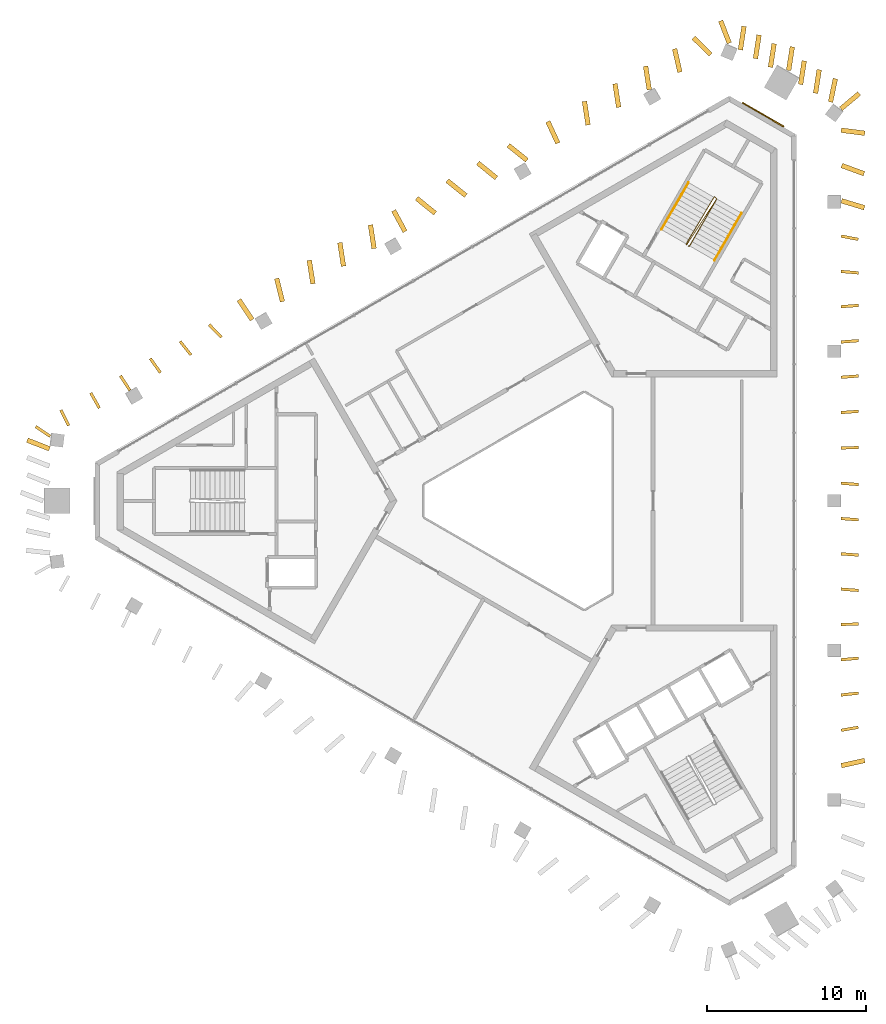
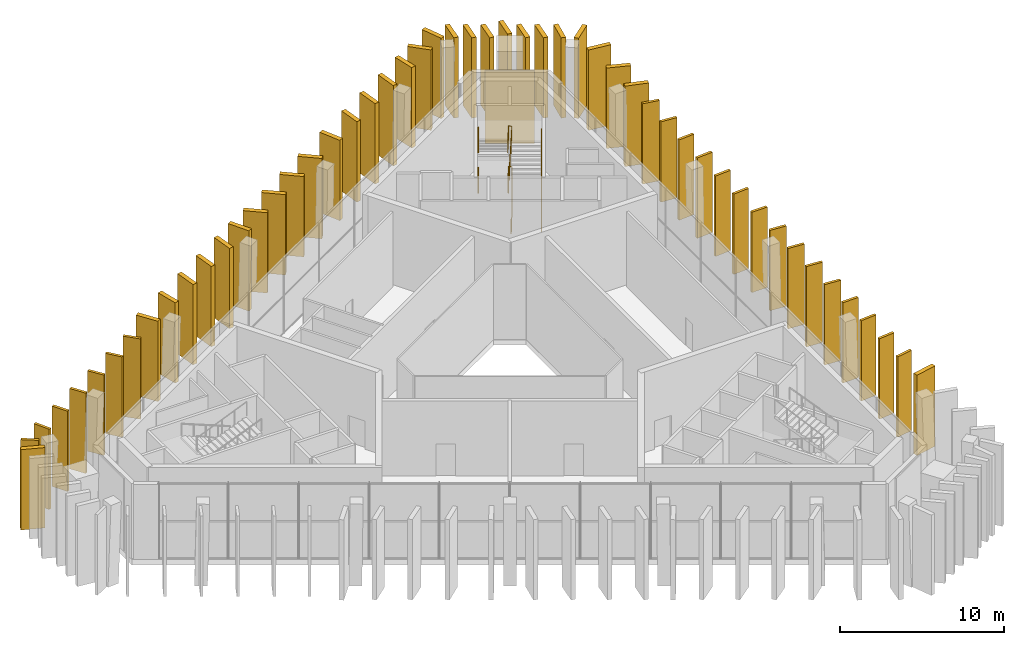
# One storey, part 12 of 12: 52 shading devices, 5 railings, 1 covering.
"""IFC4 building model written with IfcOpenShell, lengths in metres."""

from ifc_helpers import new_model, si_unit, direction, frame, frame_2d, origin, origin_2d, place, context, subcontext, project, spatial, rectangle, circle, extrude, material, layer, layer_set, type_object, element, save


model = new_model("IFC4")

# Units and contexts
model_context = context("Model", 3, precision=1e-05, world=origin(), true_north=direction((0.0, 1.0)))
body_context = subcontext(model_context, "Body", "Model", "MODEL_VIEW")
ifc_project = project(units=[si_unit("LENGTHUNIT", "METRE"), si_unit("AREAUNIT", "SQUARE_METRE"), si_unit("VOLUMEUNIT", "CUBIC_METRE"), si_unit("PLANEANGLEUNIT", "RADIAN"), si_unit("MASSUNIT", "GRAM", prefix="KILO")], contexts=[model_context])

# Site, building, storey
site_placement = place(None, origin())
site = spatial("IfcSite", under=ifc_project, at=site_placement, CompositionType="ELEMENT")
building_placement = place(site_placement, origin())
building = spatial("IfcBuilding", under=site, at=building_placement, Name="Jabali Bay Hotel Tower and Convention Centre", CompositionType="ELEMENT")
storey_placement = place(building_placement, frame((0.0, 0.0, 304.800048828125)))
storey = spatial("IfcBuildingStorey", under=building, at=storey_placement, Name="L75", CompositionType="ELEMENT", Elevation=304.800048828125)

# Shading devices
ifc_material_1 = material(Name="Precast concrete C60", Category="concrete")
ifc_layer_1 = layer(ifc_material_1, 0.179931640625)
ifc_layer_set_1 = layer_set([ifc_layer_1], Name="Precast concrete C60")
shading_device_type_1 = type_object("IfcShadingDeviceType", Name="Precast fin 5980 x 1100", PredefinedType="USERDEFINED", material=ifc_layer_set_1)
shading_device_1_placement = place(storey_placement, frame((93.91796875, 65.575927734375, 0.010009765625), z_axis=(0.0, 0.0, 1.0), x_axis=(0.984464595423, 0.175583200672, 0.0)))
element("IfcShadingDevice", 1, at=shading_device_1_placement, inside=storey, type_object=shading_device_type_1, Name="Fin L75 004", ObjectType="FIN", PredefinedType="USERDEFINED", context=body_context, shape_type="SweptSolid", body=[
    extrude(rectangle(XDim=1.099853515625, YDim=0.179931640625, at=frame_2d((0.5498046875, 0.0))), origin(), (0.0, 0.0, 1.0), 5.97998046875),
])
for number, where, z_axis, x_axis, name in (
    (2, (93.91162109375, 67.795166015625, 0.010009765625), (0.0, 0.0, 1.0), (0.994285620434, 0.106752540944, 0.0), "Fin L75 005"),
    (3, (93.90966796875, 70.01416015625, 0.010009765625), (0.0, 0.0, 1.0), (0.996474994067, 0.08389032244, 0.0), "Fin L75 006"),
    (4, (93.90380859375, 72.233154296875, 0.010009765625), (0.0, 0.0, 1.0), (0.999796046896, 0.020195658217, 0.0), "Fin L75 007"),
):
    element("IfcShadingDevice", number, at=place(storey_placement, frame(where, z_axis=z_axis, x_axis=x_axis)), inside=storey, type_object=shading_device_type_1, Name=name, ObjectType="FIN", PredefinedType="USERDEFINED", context=body_context, shape_type="SweptSolid", body=[
        extrude(rectangle(XDim=1.10009765625, YDim=0.179931640625, at=frame_2d((0.550048828125, 0.0))), origin(), (0.0, 0.0, 1.0), 5.97998046875),
    ])
shading_device_2_placement = place(storey_placement, frame((93.908935546875, 74.452392578125, 0.010009765625), z_axis=(0.0, 0.0, 1.0), x_axis=(0.997147752734, -0.075474228836, 0.0)))
element("IfcShadingDevice", 5, at=shading_device_2_placement, inside=storey, type_object=shading_device_type_1, Name="Fin L75 008", ObjectType="FIN", PredefinedType="USERDEFINED", context=body_context, shape_type="SweptSolid", body=[
    extrude(rectangle(XDim=1.099853515625, YDim=0.179931640625, at=frame_2d((0.5498046875, 0.0))), origin(), (0.0, 0.0, 1.0), 5.97998046875),
])
shading_device_3_placement = place(storey_placement, frame((93.90869140625, 76.67138671875, 0.010009765625), z_axis=(0.0, 0.0, 1.0), x_axis=(0.997198896054, -0.074795465829, 0.0)))
element("IfcShadingDevice", 6, at=shading_device_3_placement, inside=storey, type_object=shading_device_type_1, Name="Fin L75 009", ObjectType="FIN", PredefinedType="USERDEFINED", context=body_context, shape_type="SweptSolid", body=[
    extrude(rectangle(XDim=1.10009765625, YDim=0.179931640625, at=frame_2d((0.550048828125, 0.0))), origin(), (0.0, 0.0, 1.0), 5.97998046875),
])
shading_device_4_placement = place(storey_placement, frame((93.90869140625, 78.890380859375, 0.010009765625), z_axis=(0.0, 0.0, 1.0), x_axis=(0.99723190741, -0.074354037165, 0.0)))
element("IfcShadingDevice", 7, at=shading_device_4_placement, inside=storey, type_object=shading_device_type_1, Name="Fin L75 010", ObjectType="FIN", PredefinedType="USERDEFINED", context=body_context, shape_type="SweptSolid", body=[
    extrude(rectangle(XDim=1.099853515625, YDim=0.179931640625, at=frame_2d((0.5498046875, 0.0))), origin(), (0.0, 0.0, 1.0), 5.97998046875),
])
for number, where, z_axis, x_axis, name in (
    (8, (93.90869140625, 81.109619140625, 0.010009765625), (0.0, 0.0, 1.0), (0.997215425884, -0.074574756977, 0.0), "Fin L75 011"),
    (9, (93.903564453125, 83.32861328125, 0.010009765625), (0.0, 0.0, 1.0), (0.999842363172, 0.017755247293, 0.0), "Fin L75 012"),
    (10, (93.90869140625, 85.547607421875, 0.010009765625), (0.0, 0.0, 1.0), (0.997198896054, 0.074795465829, 0.0), "Fin L75 013"),
):
    element("IfcShadingDevice", number, at=place(storey_placement, frame(where, z_axis=z_axis, x_axis=x_axis)), inside=storey, type_object=shading_device_type_1, Name=name, ObjectType="FIN", PredefinedType="USERDEFINED", context=body_context, shape_type="SweptSolid", body=[
        extrude(rectangle(XDim=1.10009765625, YDim=0.179931640625, at=frame_2d((0.550048828125, 0.0))), origin(), (0.0, 0.0, 1.0), 5.97998046875),
    ])
for number, where, z_axis, x_axis, name in (
    (11, (93.908935546875, 87.766845703125, 0.010009765625), (0.0, 0.0, 1.0), (0.997147752734, 0.075474228836, 0.0), "Fin L75 014"),
    (12, (93.9091796875, 89.98583984375, 0.010009765625), (0.0, 0.0, 1.0), (0.99697693731, 0.077698046773, 0.0), "Fin L75 015"),
    (13, (93.908935546875, 92.204833984375, 0.010009765625), (0.0, 0.0, 1.0), (0.997147752734, 0.075474228836, 0.0), "Fin L75 016"),
    (14, (93.909912109375, 94.424072265625, 0.010009765625), (0.0, 0.0, 1.0), (0.996264705336, -0.086351820494, 0.0), "Fin L75 017"),
    (15, (93.918701171875, 96.64306640625, 0.010009765625), (0.0, 0.0, 1.0), (0.982592152563, -0.185775837293, 0.0), "Fin L75 018"),
    (16, (54.968017578125, 90.28662109375, 0.010009765625), (0.0, 0.0, 1.0), (-0.69940756737, 0.714723061546, 0.0), "Fin L75 045"),
    (17, (53.05078125, 89.16943359375, 0.010009765625), (0.0, 0.0, 1.0), (-0.624397239587, 0.781106962711, 0.0), "Fin L75 046"),
):
    element("IfcShadingDevice", number, at=place(storey_placement, frame(where, z_axis=z_axis, x_axis=x_axis)), inside=storey, type_object=shading_device_type_1, Name=name, ObjectType="FIN", PredefinedType="USERDEFINED", context=body_context, shape_type="SweptSolid", body=[
        extrude(rectangle(XDim=1.099853515625, YDim=0.179931640625, at=frame_2d((0.5498046875, 0.0))), origin(), (0.0, 0.0, 1.0), 5.97998046875),
    ])
for number, where, z_axis, x_axis, name in (
    (18, (51.13134765625, 88.0556640625, 0.010009765625), (0.0, 0.0, 1.0), (-0.581951807924, 0.813223273926, 0.0), "Fin L75 047"),
    (19, (49.211669921875, 86.9423828125, 0.010009765625), (0.0, 0.0, 1.0), (-0.543278883498, 0.839552294229, 0.0), "Fin L75 048"),
):
    element("IfcShadingDevice", number, at=place(storey_placement, frame(where, z_axis=z_axis, x_axis=x_axis)), inside=storey, type_object=shading_device_type_1, Name=name, ObjectType="FIN", PredefinedType="USERDEFINED", context=body_context, shape_type="SweptSolid", body=[
        extrude(rectangle(XDim=1.10009765625, YDim=0.179931640625, at=frame_2d((0.550048828125, 0.0))), origin(), (0.0, 0.0, 1.0), 5.97998046875),
    ])
shading_device_5_placement = place(storey_placement, frame((47.291748046875, 85.82958984375, 0.010009765625), z_axis=(0.0, 0.0, 1.0), x_axis=(-0.49295656948, 0.870053918218, 0.0)))
element("IfcShadingDevice", 20, at=shading_device_5_placement, inside=storey, type_object=shading_device_type_1, Name="Fin L75 049", ObjectType="FIN", PredefinedType="USERDEFINED", context=body_context, shape_type="SweptSolid", body=[
    extrude(rectangle(XDim=1.099853515625, YDim=0.179931640625, at=frame_2d((0.5498046875, 0.0))), origin(), (0.0, 0.0, 1.0), 5.97998046875),
])
for number, where, z_axis, x_axis, name in (
    (21, (45.367919921875, 84.723876953125, 0.010009765625), (0.0, 0.0, 1.0), (-0.451204055003, 0.892420809231, 0.0), "Fin L75 050"),
    (22, (44.195556640625, 84.057373046875, 0.010009765625), (0.0, 0.0, 1.0), (-0.828068258656, 0.560627290637, 0.0), "Fin L75 090"),
):
    element("IfcShadingDevice", number, at=place(storey_placement, frame(where, z_axis=z_axis, x_axis=x_axis)), inside=storey, type_object=shading_device_type_1, Name=name, ObjectType="FIN", PredefinedType="USERDEFINED", context=body_context, shape_type="SweptSolid", body=[
        extrude(rectangle(XDim=1.10009765625, YDim=0.179931640625, at=frame_2d((0.550048828125, 0.0))), origin(), (0.0, 0.0, 1.0), 5.97998046875),
    ])
ifc_layer_2 = layer(ifc_material_1, 0.300048828125)
ifc_layer_set_2 = layer_set([ifc_layer_2], Name="Precast concrete C60")
shading_device_type_2 = type_object("IfcShadingDeviceType", Name="Precast fin 5980 x 1500", PredefinedType="USERDEFINED", material=ifc_layer_set_2)
for number, where, z_axis, x_axis, name in (
    (23, (93.934326171875, 63.35693359375, 0.010009765625), (0.0, 0.0, 1.0), (0.976507660068, 0.215482690322, 0.0), "Fin L75 003"),
    (24, (93.945556640625, 98.862060546875, 0.010009765625), (0.0, 0.0, 1.0), (0.956912079064, -0.290377810691, 0.0), "Fin L75 019"),
):
    element("IfcShadingDevice", number, at=place(storey_placement, frame(where, z_axis=z_axis, x_axis=x_axis)), inside=storey, type_object=shading_device_type_2, Name=name, ObjectType="FIN", PredefinedType="USERDEFINED", context=body_context, shape_type="SweptSolid", body=[
        extrude(rectangle(XDim=1.5, YDim=0.300048828125, at=frame_2d((0.75, 0.0))), origin(), (0.0, 0.0, 1.0), 5.97998046875),
    ])
shading_device_6_placement = place(storey_placement, frame((93.95361328125, 101.081298828125, 0.010009765625), z_axis=(0.0, 0.0, 1.0), x_axis=(0.938839491088, -0.344355063814, 0.0)))
element("IfcShadingDevice", 25, at=shading_device_6_placement, inside=storey, type_object=shading_device_type_2, Name="Fin L75 020", ObjectType="FIN", PredefinedType="USERDEFINED", context=body_context, shape_type="SweptSolid", body=[
    extrude(rectangle(XDim=1.500244140625, YDim=0.300048828125, at=frame_2d((0.75, 0.0))), origin(), (0.0, 0.0, 1.0), 5.97998046875),
])
for number, where, z_axis, x_axis, name in (
    (26, (93.92138671875, 103.30029296875, 0.010009765625), (0.0, 0.0, 1.0), (0.991740506295, -0.128260547999, 0.0), "Fin L75 021"),
    (27, (93.253173828125, 105.06982421875, 0.010009765625), (0.0, 0.0, 1.0), (0.202810128006, 0.97921808193, 0.0), "Fin L75 022"),
    (28, (92.31201171875, 105.621337890625, 0.010009765625), (0.0, 0.0, 1.0), (0.152827640661, 0.988252858458, 0.0), "Fin L75 023"),
):
    element("IfcShadingDevice", number, at=place(storey_placement, frame(where, z_axis=z_axis, x_axis=x_axis)), inside=storey, type_object=shading_device_type_2, Name=name, ObjectType="FIN", PredefinedType="USERDEFINED", context=body_context, shape_type="SweptSolid", body=[
        extrude(rectangle(XDim=1.5, YDim=0.300048828125, at=frame_2d((0.75, 0.0))), origin(), (0.0, 0.0, 1.0), 5.97998046875),
    ])
shading_device_7_placement = place(storey_placement, frame((91.372314453125, 106.17578125, 0.010009765625), z_axis=(0.0, 0.0, 1.0), x_axis=(0.1526932413, 0.988273633191, 0.0)))
element("IfcShadingDevice", 29, at=shading_device_7_placement, inside=storey, type_object=shading_device_type_2, Name="Fin L75 024", ObjectType="FIN", PredefinedType="USERDEFINED", context=body_context, shape_type="SweptSolid", body=[
    extrude(rectangle(XDim=1.499755859375, YDim=0.300048828125, at=frame_2d((0.75, 0.0))), origin(), (0.0, 0.0, 1.0), 5.97998046875),
])
for number, where, z_axis, x_axis, name in (
    (30, (90.6220703125, 107.058349609375, 0.010009765625), (0.0, 0.0, 1.0), (0.152827640661, 0.988252858458, 0.0), "Fin L75 025"),
    (31, (89.4775390625, 107.2578125, 0.010009765625), (0.0, 0.0, 1.0), (0.152827640661, 0.988252858458, 0.0), "Fin L75 026"),
):
    element("IfcShadingDevice", number, at=place(storey_placement, frame(where, z_axis=z_axis, x_axis=x_axis)), inside=storey, type_object=shading_device_type_2, Name=name, ObjectType="FIN", PredefinedType="USERDEFINED", context=body_context, shape_type="SweptSolid", body=[
        extrude(rectangle(XDim=1.5, YDim=0.300048828125, at=frame_2d((0.75, 0.0))), origin(), (0.0, 0.0, 1.0), 5.97998046875),
    ])
shading_device_8_placement = place(storey_placement, frame((88.53271484375, 107.803466796875, 0.010009765625), z_axis=(0.0, 0.0, 1.0), x_axis=(0.15285222595, 0.988249056171, 0.0)))
element("IfcShadingDevice", 32, at=shading_device_8_placement, inside=storey, type_object=shading_device_type_2, Name="Fin L75 027", ObjectType="FIN", PredefinedType="USERDEFINED", context=body_context, shape_type="SweptSolid", body=[
    extrude(rectangle(XDim=1.499755859375, YDim=0.300048828125, at=frame_2d((0.75, 0.0))), origin(), (0.0, 0.0, 1.0), 5.97998046875),
])
shading_device_9_placement = place(storey_placement, frame((87.588134765625, 108.348876953125, 0.010009765625), z_axis=(0.0, 0.0, 1.0), x_axis=(0.152668680361, 0.988277427667, 0.0)))
element("IfcShadingDevice", 33, at=shading_device_9_placement, inside=storey, type_object=shading_device_type_2, Name="Fin L75 028", ObjectType="FIN", PredefinedType="USERDEFINED", context=body_context, shape_type="SweptSolid", body=[
    extrude(rectangle(XDim=1.5, YDim=0.300048828125, at=frame_2d((0.75, 0.0))), origin(), (0.0, 0.0, 1.0), 5.97998046875),
])
shading_device_10_placement = place(storey_placement, frame((85.7080078125, 108.0537109375, 0.010009765625), z_axis=(0.0, 0.0, 1.0), x_axis=(-0.708082772587, 0.706129440801, 0.0)))
element("IfcShadingDevice", 34, at=shading_device_10_placement, inside=storey, type_object=shading_device_type_2, Name="Fin L75 029", ObjectType="FIN", PredefinedType="USERDEFINED", context=body_context, shape_type="SweptSolid", body=[
    extrude(rectangle(XDim=1.499755859375, YDim=0.300048828125, at=frame_2d((0.75, 0.0))), origin(), (0.0, 0.0, 1.0), 5.97998046875),
])
for number, where, z_axis, x_axis, name in (
    (35, (83.783447265625, 106.948974609375, 0.010009765625), (0.0, 0.0, 1.0), (-0.219411492646, 0.975632408694, 0.0), "Fin L75 030"),
    (36, (81.85693359375, 105.84765625, 0.010009765625), (0.0, 0.0, 1.0), (-0.152668680361, 0.988277427667, 0.0), "Fin L75 031"),
    (37, (79.93505859375, 104.73828125, 0.010009765625), (0.0, 0.0, 1.0), (-0.152668680361, 0.988277427667, 0.0), "Fin L75 032"),
    (38, (78.013427734375, 103.628662109375, 0.010009765625), (0.0, 0.0, 1.0), (-0.152827640661, 0.988252858458, 0.0), "Fin L75 033"),
    (39, (76.11181640625, 102.48388671875, 0.010009765625), (0.0, 0.0, 1.0), (-0.419264591404, 0.907864088063, 0.0), "Fin L75 034"),
    (40, (74.169921875, 101.40966796875, 0.010009765625), (0.0, 0.0, 1.0), (-0.779596911354, 0.626281610625, 0.0), "Fin L75 035"),
    (41, (72.248046875, 100.300048828125, 0.010009765625), (0.0, 0.0, 1.0), (-0.779453585439, 0.626459981281, 0.0), "Fin L75 036"),
    (42, (70.326171875, 99.1904296875, 0.010009765625), (0.0, 0.0, 1.0), (-0.779453585439, 0.626459981281, 0.0), "Fin L75 037"),
):
    element("IfcShadingDevice", number, at=place(storey_placement, frame(where, z_axis=z_axis, x_axis=x_axis)), inside=storey, type_object=shading_device_type_2, Name=name, ObjectType="FIN", PredefinedType="USERDEFINED", context=body_context, shape_type="SweptSolid", body=[
        extrude(rectangle(XDim=1.5, YDim=0.300048828125, at=frame_2d((0.75, 0.0))), origin(), (0.0, 0.0, 1.0), 5.97998046875),
    ])
shading_device_11_placement = place(storey_placement, frame((68.404541015625, 98.0810546875, 0.010009765625), z_axis=(0.0, 0.0, 1.0), x_axis=(-0.77953306199, 0.626361082176, 0.0)))
element("IfcShadingDevice", 43, at=shading_device_11_placement, inside=storey, type_object=shading_device_type_2, Name="Fin L75 038", ObjectType="FIN", PredefinedType="USERDEFINED", context=body_context, shape_type="SweptSolid", body=[
    extrude(rectangle(XDim=1.499755859375, YDim=0.300048828125, at=frame_2d((0.75, 0.0))), origin(), (0.0, 0.0, 1.0), 5.97998046875),
])
for number, where, z_axis, x_axis, name in (
    (44, (66.5078125, 96.927734375, 0.010009765625), (0.0, 0.0, 1.0), (-0.477231942931, 0.878777373768, 0.0), "Fin L75 039"),
    (45, (64.56103515625, 95.86181640625, 0.010009765625), (0.0, 0.0, 1.0), (-0.152827640661, 0.988252858458, 0.0), "Fin L75 040"),
):
    element("IfcShadingDevice", number, at=place(storey_placement, frame(where, z_axis=z_axis, x_axis=x_axis)), inside=storey, type_object=shading_device_type_2, Name=name, ObjectType="FIN", PredefinedType="USERDEFINED", context=body_context, shape_type="SweptSolid", body=[
        extrude(rectangle(XDim=1.5, YDim=0.300048828125, at=frame_2d((0.75, 0.0))), origin(), (0.0, 0.0, 1.0), 5.97998046875),
    ])
shading_device_12_placement = place(storey_placement, frame((62.63916015625, 94.75244140625, 0.010009765625), z_axis=(0.0, 0.0, 1.0), x_axis=(-0.153011198733, 0.988224454799, 0.0)))
element("IfcShadingDevice", 46, at=shading_device_12_placement, inside=storey, type_object=shading_device_type_2, Name="Fin L75 041", ObjectType="FIN", PredefinedType="USERDEFINED", context=body_context, shape_type="SweptSolid", body=[
    extrude(rectangle(XDim=1.499755859375, YDim=0.300048828125, at=frame_2d((0.75, 0.0))), origin(), (0.0, 0.0, 1.0), 5.97998046875),
])
for number, where, z_axis, x_axis, name in (
    (47, (60.717529296875, 93.642578125, 0.010009765625), (0.0, 0.0, 1.0), (-0.154123675005, 0.988051563838, 0.0), "Fin L75 042"),
    (48, (58.80224609375, 92.52197265625, 0.010009765625), (0.0, 0.0, 1.0), (-0.243492934318, 0.969902670858, 0.0), "Fin L75 043"),
    (49, (56.896240234375, 91.384765625, 0.010009765625), (0.0, 0.0, 1.0), (-0.552745503606, 0.833350111444, 0.0), "Fin L75 044"),
    (50, (44.1552734375, 83.27294921875, 0.010009765625), (0.0, 0.0, 1.0), (-0.932254906917, 0.361802140027, 0.0), "Fin L75 051"),
):
    element("IfcShadingDevice", number, at=place(storey_placement, frame(where, z_axis=z_axis, x_axis=x_axis)), inside=storey, type_object=shading_device_type_2, Name=name, ObjectType="FIN", PredefinedType="USERDEFINED", context=body_context, shape_type="SweptSolid", body=[
        extrude(rectangle(XDim=1.5, YDim=0.300048828125, at=frame_2d((0.75, 0.0))), origin(), (0.0, 0.0, 1.0), 5.97998046875),
    ])
shading_device_13_placement = place(storey_placement, frame((93.908935546875, 104.644775390625, 0.010009765625), z_axis=(0.0, 0.0, 1.0), x_axis=(0.766015751618, 0.642821801336, 0.0)))
element("IfcShadingDevice", 51, at=shading_device_13_placement, inside=storey, type_object=shading_device_type_2, Name="Fin L75 088", ObjectType="FIN", PredefinedType="USERDEFINED", context=body_context, shape_type="SweptSolid", body=[
    extrude(rectangle(XDim=1.500244140625, YDim=0.300048828125, at=frame_2d((0.75, 0.0))), origin(), (0.0, 0.0, 1.0), 5.97998046875),
])
shading_device_14_placement = place(storey_placement, frame((86.888427734375, 108.775146484375, 0.010009765625), z_axis=(0.0, 0.0, 1.0), x_axis=(-0.361857043323, 0.932233597441, 0.0)))
element("IfcShadingDevice", 52, at=shading_device_14_placement, inside=storey, type_object=shading_device_type_2, Name="Fin L75 089", ObjectType="FIN", PredefinedType="USERDEFINED", context=body_context, shape_type="SweptSolid", body=[
    extrude(rectangle(XDim=1.499755859375, YDim=0.300048828125, at=frame_2d((0.75, 0.0))), origin(), (0.0, 0.0, 1.0), 5.97998046875),
])

# Covering
ifc_material_2 = material(Name="Precast concrete C40/50", Category="concrete")
ifc_layer_3 = layer(ifc_material_2, 0.080078125)
ifc_layer_set_3 = layer_set([ifc_layer_3], Name="Precast concrete C40/50")
covering_type = type_object("IfcCoveringType", Name="Relief panel 3000 x 5400", PredefinedType="CLADDING", material=ifc_layer_set_3)
covering_placement = place(storey_placement, frame((89.015380859375, 104.275146484375, 0.10009765625), z_axis=(0.0, 0.0, 1.0), x_axis=(0.866025315794, -0.500000152404, 0.0)))
element("IfcCovering", 53, at=covering_placement, inside=storey, type_object=covering_type, Name="Relief panel L75", PredefinedType="CLADDING", context=body_context, shape_type="SweptSolid", body=[
    extrude(rectangle(XDim=3.0, YDim=0.080078125, at=origin_2d()), origin(), (0.0, 0.0, 1.0), 5.39990234375),
])

# Railings
ifc_material_3 = material(Name="Steel Q355B", Category="steel")
railing_type_1 = type_object("IfcRailingType", Name="Stair guard 1100", PredefinedType="GUARDRAIL", material=ifc_material_3)
railing_1_placement = place(storey_placement, frame((84.329833984375, 96.010009765625, 0.0)))
element("IfcRailing", 54, at=railing_1_placement, inside=storey, type_object=railing_type_1, Name="L75 ST2 stair guard 1", PredefinedType="GUARDRAIL", context=body_context, shape_type="SweptSolid", body=[
    extrude(circle(Radius=0.02392578125, at=origin_2d()), frame((0.0, 0.0, 1.076171875), z_axis=(0.475898071169, 0.127472697635, 0.870213615852), x_axis=(-0.258736085224, 0.965948051503, 0.0)), (0.0, 0.0, 1.0), 0.1435546875),
    extrude(circle(Radius=0.02392578125, at=origin_2d()), frame((0.068359375, 0.018310546875, 1.201171875), z_axis=(0.463739605653, 0.803177873708, 0.373966417388), x_axis=(-0.866013897511, 0.50001992892, 0.0)), (0.0, 0.0, 1.0), 3.6767578125),
    extrude(circle(Radius=0.02392578125, at=origin_2d()), frame((1.7734375, 2.971435546875, 2.576171875), z_axis=(-0.718850276695, 0.695164929852, 0.0), x_axis=(-0.695164929852, -0.718850276695, 0.0)), (0.0, 0.0, 1.0), 0.2060546875),
    extrude(circle(Radius=0.02392578125, at=origin_2d()), frame((1.625244140625, 3.11474609375, 2.576171875), z_axis=(-0.470215816766, -0.787857476027, 0.397715580701), x_axis=(0.858692051813, -0.512491912281, 0.0)), (0.0, 0.0, 1.0), 3.771484375),
    extrude(circle(Radius=0.02392578125, at=origin_2d()), frame((-0.148193359375, 0.143310546875, 4.076171875), z_axis=(0.258736085224, -0.965948051503, 0.0), x_axis=(0.965948051503, 0.258736085224, 0.0)), (0.0, 0.0, 1.0), 0.07080078125),
    extrude(circle(Radius=0.02392578125, at=origin_2d()), frame((-0.1298828125, 0.074951171875, 4.076171875), z_axis=(0.503985290176, 0.766967865912, 0.39718902294), x_axis=(-0.835716563808, 0.549161019171, 0.0)), (0.0, 0.0, 1.0), 3.776611328125),
    extrude(circle(Radius=0.02392578125, at=origin_2d()), frame((1.7734375, 2.971435546875, 5.576171875), z_axis=(-0.718850276695, 0.695164929852, 0.0), x_axis=(-0.695164929852, -0.718850276695, 0.0)), (0.0, 0.0, 1.0), 0.2060546875),
    extrude(circle(Radius=0.02392578125, at=origin_2d()), frame((1.625244140625, 3.11474609375, 5.576171875), z_axis=(-0.470215816766, -0.787857476027, 0.397715580701), x_axis=(0.858692051813, -0.512491912281, 0.0)), (0.0, 0.0, 1.0), 3.771484375),
    extrude(circle(Radius=0.02099609375, at=origin_2d()), origin(), (0.0, 0.0, 1.0), 1.052001953125),
    extrude(circle(Radius=0.02099609375, at=origin_2d()), frame((0.068359375, 0.018310546875, 0.125)), (0.0, 0.0, 1.0), 1.052001953125),
    extrude(circle(Radius=0.02099609375, at=origin_2d()), frame((0.49462890625, 0.756591796875, 0.46875)), (0.0, 0.0, 1.0), 1.052001953125),
    extrude(circle(Radius=0.02099609375, at=origin_2d()), frame((0.9208984375, 1.494873046875, 0.8125)), (0.0, 0.0, 1.0), 1.052001953125),
    extrude(circle(Radius=0.02099609375, at=origin_2d()), frame((1.34716796875, 2.233154296875, 1.15625)), (0.0, 0.0, 1.0), 1.052001953125),
    extrude(circle(Radius=0.02099609375, at=origin_2d()), frame((1.7734375, 2.971435546875, 1.5)), (0.0, 0.0, 1.0), 1.052001953125),
    extrude(circle(Radius=0.02099609375, at=origin_2d()), frame((1.625244140625, 3.11474609375, 1.5)), (0.0, 0.0, 1.0), 1.052001953125),
    extrude(circle(Radius=0.02099609375, at=origin_2d()), frame((1.181884765625, 2.371826171875, 1.875)), (0.0, 0.0, 1.0), 1.052001953125),
    extrude(circle(Radius=0.02099609375, at=origin_2d()), frame((0.738525390625, 1.62890625, 2.25)), (0.0, 0.0, 1.0), 1.052001953125),
    extrude(circle(Radius=0.02099609375, at=origin_2d()), frame((0.295166015625, 0.88623046875, 2.625)), (0.0, 0.0, 1.0), 1.052001953125),
    extrude(circle(Radius=0.02099609375, at=origin_2d()), frame((-0.148193359375, 0.143310546875, 3.0)), (0.0, 0.0, 1.0), 1.052001953125),
    extrude(circle(Radius=0.02099609375, at=origin_2d()), frame((-0.1298828125, 0.074951171875, 3.0)), (0.0, 0.0, 1.0), 1.052001953125),
    extrude(circle(Radius=0.02099609375, at=origin_2d()), frame((0.345947265625, 0.799072265625, 3.375)), (0.0, 0.0, 1.0), 1.052001953125),
    extrude(circle(Radius=0.02099609375, at=origin_2d()), frame((0.82177734375, 1.523193359375, 3.75)), (0.0, 0.0, 1.0), 1.052001953125),
    extrude(circle(Radius=0.02099609375, at=origin_2d()), frame((1.297607421875, 2.247314453125, 4.125)), (0.0, 0.0, 1.0), 1.052001953125),
    extrude(circle(Radius=0.02099609375, at=origin_2d()), frame((1.7734375, 2.971435546875, 4.5)), (0.0, 0.0, 1.0), 1.052001953125),
    extrude(circle(Radius=0.02099609375, at=origin_2d()), frame((1.625244140625, 3.11474609375, 4.5)), (0.0, 0.0, 1.0), 1.052001953125),
    extrude(circle(Radius=0.02099609375, at=origin_2d()), frame((1.181884765625, 2.371826171875, 4.875)), (0.0, 0.0, 1.0), 1.052001953125),
    extrude(circle(Radius=0.02099609375, at=origin_2d()), frame((0.738525390625, 1.62890625, 5.25)), (0.0, 0.0, 1.0), 1.052001953125),
    extrude(circle(Radius=0.02099609375, at=origin_2d()), frame((0.295166015625, 0.88623046875, 5.625)), (0.0, 0.0, 1.0), 1.052001953125),
    extrude(circle(Radius=0.02099609375, at=origin_2d()), frame((-0.148193359375, 0.143310546875, 6.0)), (0.0, 0.0, 1.0), 1.052001953125),
])
railing_type_2 = type_object("IfcRailingType", Name="Stair handrail 900", PredefinedType="HANDRAIL", material=ifc_material_3)
railing_2_placement = place(storey_placement, frame((85.95703125, 95.128173828125, 0.125)))
element("IfcRailing", 55, at=railing_2_placement, inside=storey, type_object=railing_type_2, Name="L75 ST2 stair handrail 1", PredefinedType="HANDRAIL", context=body_context, shape_type="SweptSolid", body=[
    extrude(circle(Radius=0.02392578125, at=origin_2d()), frame((0.0, 0.0, 0.8759765625), z_axis=(0.463739605653, 0.803177873708, 0.373966417388), x_axis=(-0.866013897511, 0.50001992892, 0.0)), (0.0, 0.0, 1.0), 3.6767578125),
    extrude(circle(Radius=0.02099609375, at=origin_2d()), origin(), (0.0, 0.0, 1.0), 0.851806640625),
    extrude(circle(Radius=0.02099609375, at=origin_2d()), frame((0.42626953125, 0.73828125, 0.34375)), (0.0, 0.0, 1.0), 0.851806640625),
    extrude(circle(Radius=0.02099609375, at=origin_2d()), frame((0.8525390625, 1.4765625, 0.6875)), (0.0, 0.0, 1.0), 0.851806640625),
    extrude(circle(Radius=0.02099609375, at=origin_2d()), frame((1.27880859375, 2.21484375, 1.03125)), (0.0, 0.0, 1.0), 0.851806640625),
    extrude(circle(Radius=0.02099609375, at=origin_2d()), frame((1.705078125, 2.953125, 1.375)), (0.0, 0.0, 1.0), 0.851806640625),
])
railing_3_placement = place(storey_placement, frame((84.327880859375, 100.00634765625, 1.625)))
element("IfcRailing", 56, at=railing_3_placement, inside=storey, type_object=railing_type_2, Name="L75 ST2 stair handrail 2", PredefinedType="HANDRAIL", context=body_context, shape_type="SweptSolid", body=[
    extrude(circle(Radius=0.02392578125, at=origin_2d()), frame((0.0, 0.0, 0.8759765625), z_axis=(-0.463739605653, -0.803177873708, 0.373966417388), x_axis=(0.866013897511, -0.50001992892, 0.0)), (0.0, 0.0, 1.0), 3.6767578125),
    extrude(circle(Radius=0.02099609375, at=origin_2d()), origin(), (0.0, 0.0, 1.0), 0.851806640625),
    extrude(circle(Radius=0.02099609375, at=origin_2d()), frame((-0.42626953125, -0.73828125, 0.34375)), (0.0, 0.0, 1.0), 0.851806640625),
    extrude(circle(Radius=0.02099609375, at=origin_2d()), frame((-0.8525390625, -1.4765625, 0.6875)), (0.0, 0.0, 1.0), 0.851806640625),
    extrude(circle(Radius=0.02099609375, at=origin_2d()), frame((-1.27880859375, -2.21484375, 1.03125)), (0.0, 0.0, 1.0), 0.851806640625),
    extrude(circle(Radius=0.02099609375, at=origin_2d()), frame((-1.705078125, -2.953125, 1.375)), (0.0, 0.0, 1.0), 0.851806640625),
])
railing_4_placement = place(storey_placement, frame((85.95703125, 95.128173828125, 3.125)))
element("IfcRailing", 57, at=railing_4_placement, inside=storey, type_object=railing_type_2, Name="L75 ST2 stair handrail 3", PredefinedType="HANDRAIL", context=body_context, shape_type="SweptSolid", body=[
    extrude(circle(Radius=0.02392578125, at=origin_2d()), frame((0.0, 0.0, 0.8759765625), z_axis=(0.463739605653, 0.803177873708, 0.373966417388), x_axis=(-0.866013897511, 0.50001992892, 0.0)), (0.0, 0.0, 1.0), 3.6767578125),
    extrude(circle(Radius=0.02099609375, at=origin_2d()), origin(), (0.0, 0.0, 1.0), 0.851806640625),
    extrude(circle(Radius=0.02099609375, at=origin_2d()), frame((0.42626953125, 0.73828125, 0.34375)), (0.0, 0.0, 1.0), 0.851806640625),
    extrude(circle(Radius=0.02099609375, at=origin_2d()), frame((0.8525390625, 1.4765625, 0.6875)), (0.0, 0.0, 1.0), 0.851806640625),
    extrude(circle(Radius=0.02099609375, at=origin_2d()), frame((1.27880859375, 2.21484375, 1.03125)), (0.0, 0.0, 1.0), 0.851806640625),
    extrude(circle(Radius=0.02099609375, at=origin_2d()), frame((1.705078125, 2.953125, 1.375)), (0.0, 0.0, 1.0), 0.851806640625),
])
railing_5_placement = place(storey_placement, frame((84.327880859375, 100.00634765625, 4.625)))
element("IfcRailing", 58, at=railing_5_placement, inside=storey, type_object=railing_type_2, Name="L75 ST2 stair handrail 4", PredefinedType="HANDRAIL", context=body_context, shape_type="SweptSolid", body=[
    extrude(circle(Radius=0.02392578125, at=origin_2d()), frame((0.0, 0.0, 0.8759765625), z_axis=(-0.463739605653, -0.803177873708, 0.373966417388), x_axis=(0.866013897511, -0.50001992892, 0.0)), (0.0, 0.0, 1.0), 3.6767578125),
    extrude(circle(Radius=0.02099609375, at=origin_2d()), origin(), (0.0, 0.0, 1.0), 0.851806640625),
    extrude(circle(Radius=0.02099609375, at=origin_2d()), frame((-0.42626953125, -0.73828125, 0.34375)), (0.0, 0.0, 1.0), 0.851806640625),
    extrude(circle(Radius=0.02099609375, at=origin_2d()), frame((-0.8525390625, -1.4765625, 0.6875)), (0.0, 0.0, 1.0), 0.851806640625),
    extrude(circle(Radius=0.02099609375, at=origin_2d()), frame((-1.27880859375, -2.21484375, 1.03125)), (0.0, 0.0, 1.0), 0.851806640625),
    extrude(circle(Radius=0.02099609375, at=origin_2d()), frame((-1.705078125, -2.953125, 1.375)), (0.0, 0.0, 1.0), 0.851806640625),
])

save(model, "model.ifc")
